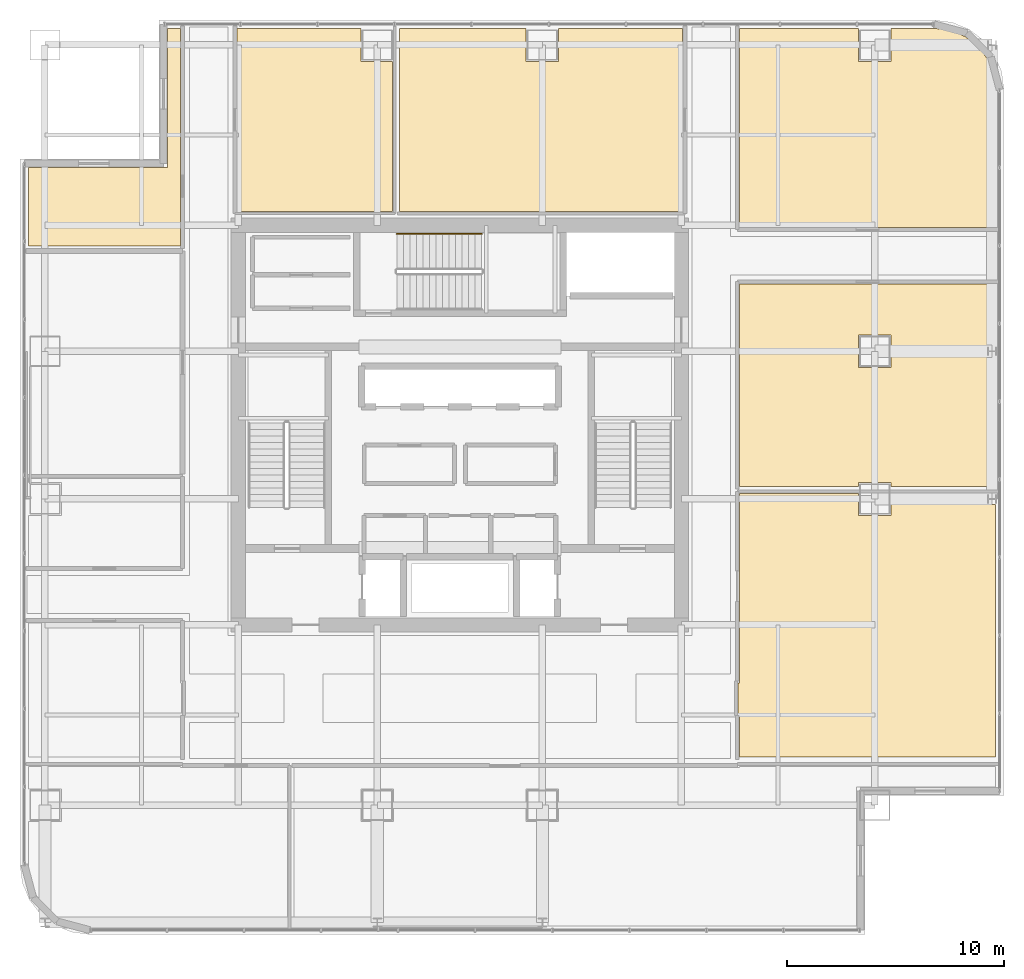
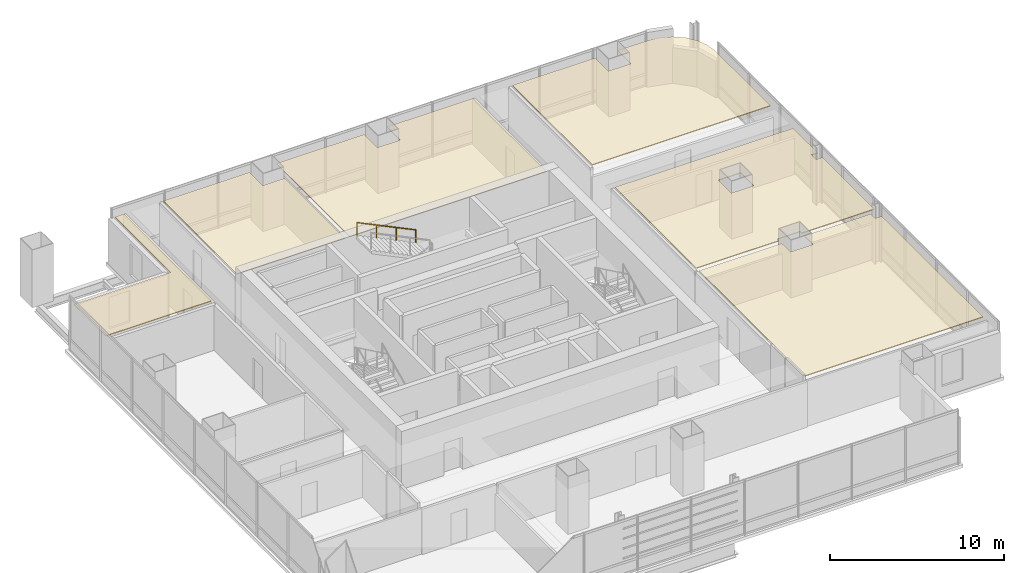
# One storey, part 37 of 37: 6 coverings, 1 railing.
"""IFC4 building model written with IfcOpenShell, lengths in metres."""

from ifc_helpers import new_model, si_unit, direction, frame, origin, origin_2d, place, context, subcontext, project, spatial, polyline, circle, outline, extrude, material, layer, layer_set, type_object, element, save


model = new_model("IFC4")

# Units and contexts
model_context = context("Model", 3, precision=1e-05, world=origin(), true_north=direction((0.0, 1.0)))
body_context = subcontext(model_context, "Body", "Model", "MODEL_VIEW")
ifc_project = project(units=[si_unit("LENGTHUNIT", "METRE"), si_unit("AREAUNIT", "SQUARE_METRE"), si_unit("VOLUMEUNIT", "CUBIC_METRE"), si_unit("PLANEANGLEUNIT", "RADIAN"), si_unit("MASSUNIT", "GRAM", prefix="KILO")], contexts=[model_context])

# Site, building, storey
site_placement = place(None, origin())
site = spatial("IfcSite", under=ifc_project, at=site_placement, CompositionType="ELEMENT")
building_placement = place(site_placement, origin())
building = spatial("IfcBuilding", under=site, at=building_placement, Name="Punatoya Terracotta Tower", CompositionType="ELEMENT")
storey_placement = place(building_placement, frame((0.0, 0.0, 224.85009765625)))
storey = spatial("IfcBuildingStorey", under=building, at=storey_placement, Name="L53", CompositionType="ELEMENT", Elevation=224.85009765625)

# Coverings
ifc_material_1 = material(Name="Acoustic Mineral Fibre Ceiling")
ifc_layer = layer(ifc_material_1, 0.06005859375)
ifc_layer_set = layer_set([ifc_layer], Name="Acoustic Mineral Fibre Ceiling")
covering_type = type_object("IfcCoveringType", Name="COV-CEIL-60", PredefinedType="CEILING", material=ifc_layer_set)
covering_1_placement = place(storey_placement, frame((0.0, 0.0, 3.219970703125)))
element("IfcCovering", 1, at=covering_1_placement, inside=storey, type_object=covering_type, Name="L53 Open-Plan Press Briefing Room Acoustic Ceiling", PredefinedType="CEILING", context=body_context, shape_type="SweptSolid", body=[
    extrude(outline(polyline([(12.81005859375, -13.280029296875), (12.8701171875, -13.280029296875), (12.8701171875, -15.2900390625), (24.669921875, -15.2900390625), (24.669921875, -3.66259765625), (24.24560546875, -3.66259765625), (24.24560546875, -3.154052734375), (19.85009765625, -3.154052734375), (19.85009765625, -4.14990234375), (18.35009765625, -4.14990234375), (18.35009765625, -3.154052734375), (12.8701171875, -3.154052734375), (12.8701171875, -11.8701171875), (12.81005859375, -11.8701171875), (12.81005859375, -13.280029296875)])), origin(), (0.0, 0.0, 1.0), 0.059814453125),
])
covering_2_placement = place(storey_placement, frame((0.0, 0.0, 3.219970703125)))
element("IfcCovering", 2, at=covering_2_placement, inside=storey, type_object=covering_type, Name="L53 Open-Plan Acoustic Wellness Room Acoustic Ceiling", PredefinedType="CEILING", context=body_context, shape_type="SweptSolid", body=[
    extrude(outline(polyline([(18.35009765625, -2.833984375), (18.35009765625, -2.64990234375), (19.85009765625, -2.64990234375), (19.85009765625, -2.833984375), (24.669921875, -2.833984375), (24.669921875, 3.137451171875), (24.24560546875, 3.137451171875), (24.24560546875, 3.66259765625), (24.669921875, 3.66259765625), (24.669921875, 6.5), (12.8701171875, 6.5), (12.8701171875, -2.833984375), (18.35009765625, -2.833984375)]), holes=[polyline([(19.85009765625, 2.64990234375), (18.35009765625, 2.64990234375), (18.35009765625, 4.14990234375), (19.85009765625, 4.14990234375), (19.85009765625, 2.64990234375)])]), origin(), (0.0, 0.0, 1.0), 0.059814453125),
])
covering_3_placement = place(storey_placement, frame((0.0, 0.0, 3.219970703125)))
element("IfcCovering", 3, at=covering_3_placement, inside=storey, type_object=covering_type, Name="L53 Editorial Conference Room Acoustic Ceiling", PredefinedType="CEILING", context=body_context, shape_type="SweptSolid", body=[
    extrude(outline(polyline([(-13.469970703125, 11.8701171875), (-19.8701171875, 11.8701171875), (-19.8701171875, 8.238037109375), (-12.8701171875, 8.238037109375), (-12.8701171875, 18.27001953125), (-13.469970703125, 18.27001953125), (-13.469970703125, 11.8701171875)])), origin(), (0.0, 0.0, 1.0), 0.059814453125),
])
covering_4_placement = place(storey_placement, frame((0.0, 0.0, 3.219970703125)))
element("IfcCovering", 4, at=covering_4_placement, inside=storey, type_object=covering_type, Name="L53 Open-Plan Client Briefing Office Acoustic Ceiling", PredefinedType="CEILING", context=body_context, shape_type="SweptSolid", body=[
    extrude(outline(polyline([(12.8701171875, 18.27001953125), (12.8701171875, 9.10009765625), (24.669921875, 9.10009765625), (24.669921875, 15.425048828125), (24.57080078125, 16.178955078125), (24.289306640625, 16.8583984375), (23.841796875, 17.441650390625), (23.25830078125, 17.889404296875), (22.5791015625, 18.1708984375), (21.8251953125, 18.27001953125), (19.85009765625, 18.27001953125), (19.85009765625, 16.75), (18.35009765625, 16.75), (18.35009765625, 18.27001953125), (12.8701171875, 18.27001953125)])), origin(), (0.0, 0.0, 1.0), 0.059814453125),
])
covering_5_placement = place(storey_placement, frame((0.0, 0.0, 3.219970703125)))
element("IfcCovering", 5, at=covering_5_placement, inside=storey, type_object=covering_type, Name="L53 Open-Plan Visualization Review Room Acoustic Ceiling", PredefinedType="CEILING", context=body_context, shape_type="SweptSolid", body=[
    extrude(outline(polyline([(-4.550048828125, 18.27001953125), (-10.260009765625, 18.27001953125), (-10.260009765625, 9.840087890625), (-3.093994140625, 9.840087890625), (-3.093994140625, 16.75), (-4.550048828125, 16.75), (-4.550048828125, 18.27001953125)])), origin(), (0.0, 0.0, 1.0), 0.059814453125),
])
covering_6_placement = place(storey_placement, frame((0.0, 0.0, 3.219970703125)))
element("IfcCovering", 6, at=covering_6_placement, inside=storey, type_object=covering_type, Name="L53 Open-Plan Client Media Salon Acoustic Ceiling", PredefinedType="CEILING", context=body_context, shape_type="SweptSolid", body=[
    extrude(outline(polyline([(-2.77392578125, 18.27001953125), (-2.77392578125, 9.840087890625), (10.260009765625, 9.840087890625), (10.260009765625, 18.27001953125), (4.550048828125, 18.27001953125), (4.550048828125, 16.75), (3.050048828125, 16.75), (3.050048828125, 18.27001953125), (-2.77392578125, 18.27001953125)])), origin(), (0.0, 0.0, 1.0), 0.059814453125),
])

# Railing
ifc_material_2 = material(Name="Steel S355", Category="steel")
railing_type = type_object("IfcRailingType", Name="RLG-HND-900", PredefinedType="HANDRAIL", material=ifc_material_2)
railing_placement = place(storey_placement, frame((1.0, 8.800048828125, 2.16943359375)))
element("IfcRailing", 7, at=railing_placement, inside=storey, type_object=railing_type, Name="L53 ST-3 stair handrail 2", PredefinedType="HANDRAIL", context=body_context, shape_type="SweptSolid", body=[
    extrude(circle(Radius=0.02392578125, at=origin_2d()), frame((0.0, 0.0, 0.8759765625), z_axis=(-0.900763166376, 0.0, 0.434310623978), x_axis=(0.0, -1.0, 0.0)), (0.0, 0.0, 1.0), 4.32958984375),
    extrude(circle(Radius=0.02099609375, at=origin_2d()), origin(), (0.0, 0.0, 1.0), 0.851806640625),
    extrude(circle(Radius=0.02099609375, at=origin_2d()), frame((-1.300048828125, 0.0, 0.626708984375)), (0.0, 0.0, 1.0), 0.851806640625),
    extrude(circle(Radius=0.02099609375, at=origin_2d()), frame((-2.599853515625, 0.0, 1.253662109375)), (0.0, 0.0, 1.0), 0.851806640625),
    extrude(circle(Radius=0.02099609375, at=origin_2d()), frame((-3.89990234375, 0.0, 1.88037109375)), (0.0, 0.0, 1.0), 0.851806640625),
])

save(model, "model.ifc")
